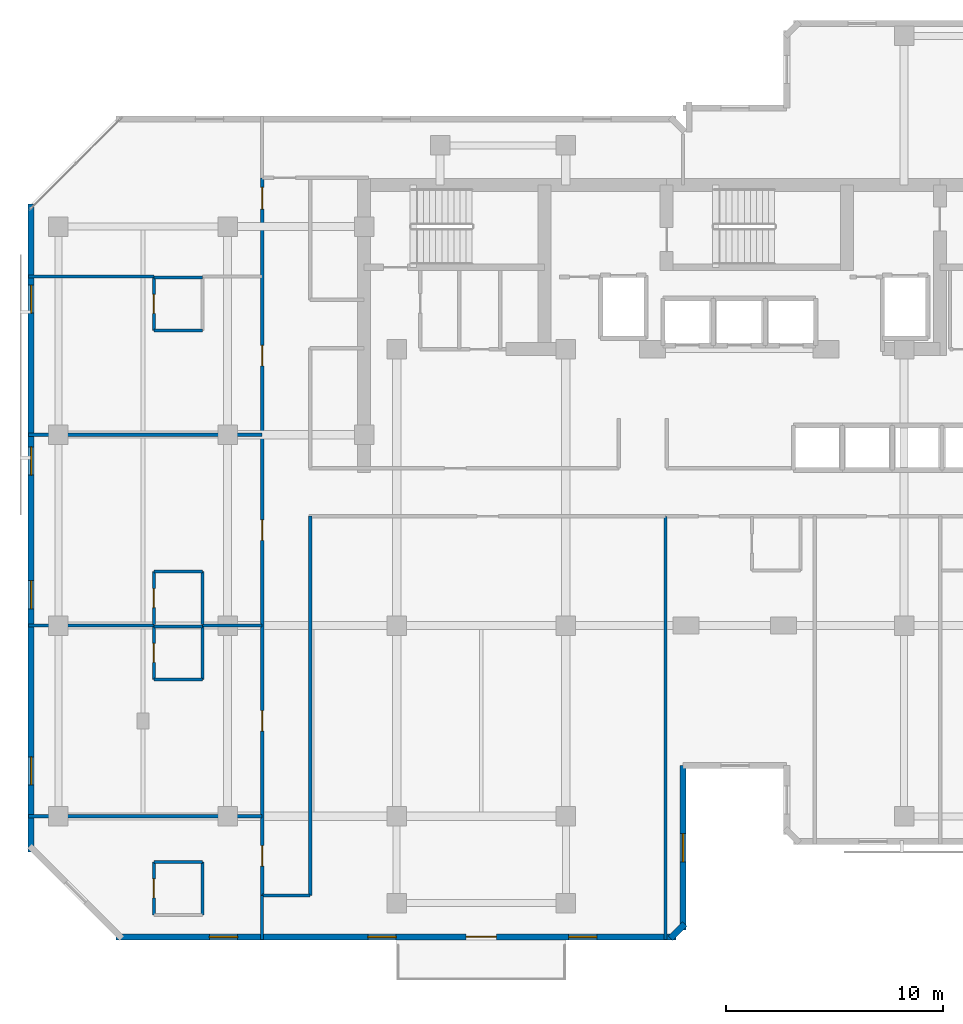
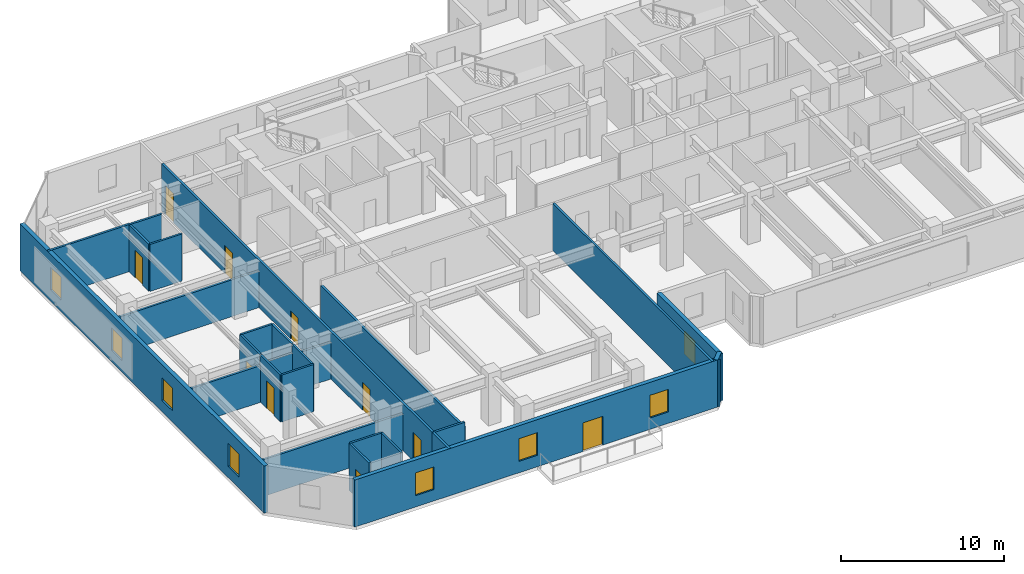
# One storey, part 4 of 10: 27 walls, 10 doors, 8 windows, 18 openings.
"""IFC4 building model written with IfcOpenShell, lengths in metres."""

from ifc_helpers import new_model, si_unit, direction, frame, frame_2d, origin, place, context, subcontext, project, spatial, rectangle, extrude, material, layer, layer_set, type_object, element, fill, save


model = new_model("IFC4")

# Units and contexts
model_context = context("Model", 3, precision=1e-05, world=origin(), true_north=direction((0.0, 1.0)))
body_context = subcontext(model_context, "Body", "Model", "MODEL_VIEW")
ifc_project = project(units=[si_unit("LENGTHUNIT", "METRE"), si_unit("AREAUNIT", "SQUARE_METRE"), si_unit("VOLUMEUNIT", "CUBIC_METRE"), si_unit("PLANEANGLEUNIT", "RADIAN"), si_unit("MASSUNIT", "GRAM", prefix="KILO")], contexts=[model_context])

# Site, building, storey
site_placement = place(None, origin())
site = spatial("IfcSite", under=ifc_project, at=site_placement, CompositionType="ELEMENT")
building_placement = place(site_placement, origin())
building = spatial("IfcBuilding", under=site, at=building_placement, Name="Kestravale Grand Hotel", CompositionType="ELEMENT")
storey_placement = place(building_placement, frame((0.0, 0.0, 236.5)))
storey = spatial("IfcBuildingStorey", under=building, at=storey_placement, Name="L59", CompositionType="ELEMENT", Elevation=236.5)

# Wall, openings, door, windows
ifc_material_1 = material(Name="Precast concrete f'c 45 MPa", Category="concrete")
ifc_layer_1 = layer(ifc_material_1, 0.280029296875)
ifc_layer_set_1 = layer_set([ifc_layer_1], Name="EW-PREC-280")
wall_type_1 = type_object("IfcWallType", Name="EW-PREC-280", PredefinedType="SOLIDWALL", material=ifc_layer_set_1)
wall_1_placement = place(storey_placement, frame((10.4599609375, 5.639892578125, 0.0), z_axis=(0.0, 0.0, 1.0), x_axis=(1.0, 0.0, 0.0)))
wall_1 = element("IfcWall", 1, at=wall_1_placement, inside=storey, type_object=wall_type_1, Name="L59 fluted precast facade wall 1", PredefinedType="SOLIDWALL", context=body_context, shape_type="SweptSolid", body=[
    extrude(rectangle(XDim=25.830078125, YDim=0.280029296875, at=frame_2d((12.9150390625, 0.0))), origin(), (0.0, 0.0, 1.0), 3.52001953125),
])
opening_1_placement = place(wall_1_placement, frame((16.139892578125, 0.0, 0.0)))
opening_1 = element("IfcOpeningElement", 2, at=opening_1_placement, cuts=wall_1, Name="Opening D-TERR-1400", PredefinedType="OPENING", context=body_context, shape_type="SweptSolid", body=[
    extrude(rectangle(XDim=1.39990234375, YDim=2.14990234375, at=frame_2d((0.699951171875, 1.074951171875))), frame((0.0, 0.14990234375, 0.0), z_axis=(0.0, -1.0, 0.0), x_axis=(1.0, 0.0, 0.0)), (0.0, 0.0, 1.0), 0.300048828125),
])
opening_2_placement = place(wall_1_placement, frame((4.304931640625, 0.0, 0.85009765625)))
opening_2 = element("IfcOpeningElement", 3, at=opening_2_placement, cuts=wall_1, Name="Opening W-GUEST-1300", PredefinedType="OPENING", context=body_context, shape_type="SweptSolid", body=[
    extrude(rectangle(XDim=1.300048828125, YDim=1.699951171875, at=frame_2d((0.64990234375, 0.85009765625))), frame((0.0, 0.14990234375, 0.0), z_axis=(0.0, -1.0, 0.0), x_axis=(1.0, 0.0, 0.0)), (0.0, 0.0, 1.0), 0.300048828125),
])
opening_3_placement = place(wall_1_placement, frame((11.614990234375, 0.0, 0.85009765625)))
opening_3 = element("IfcOpeningElement", 4, at=opening_3_placement, cuts=wall_1, Name="Opening W-GUEST-1300", PredefinedType="OPENING", context=body_context, shape_type="SweptSolid", body=[
    extrude(rectangle(XDim=1.300048828125, YDim=1.699951171875, at=frame_2d((0.64990234375, 0.85009765625))), frame((0.0, 0.14990234375, 0.0), z_axis=(0.0, -1.0, 0.0), x_axis=(1.0, 0.0, 0.0)), (0.0, 0.0, 1.0), 0.300048828125),
])
opening_4_placement = place(wall_1_placement, frame((20.875, 0.0, 0.85009765625)))
opening_4 = element("IfcOpeningElement", 5, at=opening_4_placement, cuts=wall_1, Name="Opening W-GUEST-1300", PredefinedType="OPENING", context=body_context, shape_type="SweptSolid", body=[
    extrude(rectangle(XDim=1.300048828125, YDim=1.699951171875, at=frame_2d((0.64990234375, 0.85009765625))), frame((0.0, 0.14990234375, 0.0), z_axis=(0.0, -1.0, 0.0), x_axis=(1.0, 0.0, 0.0)), (0.0, 0.0, 1.0), 0.300048828125),
])
ifc_material_2 = material(Name="Insulated glazed champagne-bronze aluminium door", Category="aluminium")
door_type_1 = type_object("IfcDoorType", Name="D-TERR-1400", OperationType="NOTDEFINED", PredefinedType="DOOR", material=ifc_material_2)
door_1_placement = place(opening_1_placement, origin())
door_1 = element("IfcDoor", 6, at=door_1_placement, inside=storey, type_object=door_type_1, Name="L59 outdoor garden terrace door", OperationType="DOUBLE_DOOR_SINGLE_SWING", OverallHeight=2.14990234375, OverallWidth=1.39990234375, PredefinedType="DOOR", context=body_context, shape_type="SweptSolid", body=[
    extrude(rectangle(XDim=1.39990234375, YDim=2.14990234375, at=frame_2d((0.699951171875, 1.074951171875))), frame((0.0, 0.02490234375, 0.0), z_axis=(0.0, -1.0, 0.0), x_axis=(1.0, 0.0, 0.0)), (0.0, 0.0, 1.0), 0.050048828125),
])
fill(opening_1, door_1)
ifc_material_3 = material(Name="Insulated low-E double glazing in aluminium frame", Category="aluminium")
window_type = type_object("IfcWindowType", Name="W-GUEST-1300", PartitioningType="SINGLE_PANEL", PredefinedType="WINDOW", material=ifc_material_3)
window_1_placement = place(opening_2_placement, origin())
window_1 = element("IfcWindow", 7, at=window_1_placement, inside=storey, type_object=window_type, Name="L59 exterior window 1.1", OverallHeight=1.699951171875, OverallWidth=1.300048828125, PartitioningType="SINGLE_PANEL", PredefinedType="WINDOW", context=body_context, shape_type="SweptSolid", body=[
    extrude(rectangle(XDim=1.300048828125, YDim=1.699951171875, at=frame_2d((0.64990234375, 0.85009765625))), frame((0.0, 0.030029296875, 0.0), z_axis=(0.0, -1.0, 0.0), x_axis=(1.0, 0.0, 0.0)), (0.0, 0.0, 1.0), 0.06005859375),
])
fill(opening_2, window_1)
window_2_placement = place(opening_3_placement, origin())
window_2 = element("IfcWindow", 8, at=window_2_placement, inside=storey, type_object=window_type, Name="L59 exterior window 1.2", OverallHeight=1.699951171875, OverallWidth=1.300048828125, PartitioningType="SINGLE_PANEL", PredefinedType="WINDOW", context=body_context, shape_type="SweptSolid", body=[
    extrude(rectangle(XDim=1.300048828125, YDim=1.699951171875, at=frame_2d((0.64990234375, 0.85009765625))), frame((0.0, 0.030029296875, 0.0), z_axis=(0.0, -1.0, 0.0), x_axis=(1.0, 0.0, 0.0)), (0.0, 0.0, 1.0), 0.06005859375),
])
fill(opening_3, window_2)
window_3_placement = place(opening_4_placement, origin())
window_3 = element("IfcWindow", 9, at=window_3_placement, inside=storey, type_object=window_type, Name="L59 exterior window 1.3", OverallHeight=1.699951171875, OverallWidth=1.300048828125, PartitioningType="SINGLE_PANEL", PredefinedType="WINDOW", context=body_context, shape_type="SweptSolid", body=[
    extrude(rectangle(XDim=1.300048828125, YDim=1.699951171875, at=frame_2d((0.64990234375, 0.85009765625))), frame((0.0, 0.030029296875, 0.0), z_axis=(0.0, -1.0, 0.0), x_axis=(1.0, 0.0, 0.0)), (0.0, 0.0, 1.0), 0.06005859375),
])
fill(opening_4, window_3)

# Wall
wall_2_placement = place(storey_placement, frame((36.022705078125, 5.57080078125, 0.0), z_axis=(0.0, 0.0, 1.0), x_axis=(0.707106781187, 0.707106781187, 0.0)))
element("IfcWall", 10, at=wall_2_placement, inside=storey, type_object=wall_type_1, Name="L59 fluted precast facade wall 2", PredefinedType="SOLIDWALL", context=body_context, shape_type="SweptSolid", body=[
    extrude(rectangle(XDim=0.928466796875, YDim=0.280029296875, at=frame_2d((0.46435546875, 0.0))), origin(), (0.0, 0.0, 1.0), 3.52001953125),
])

# Wall, opening, window
wall_3_placement = place(storey_placement, frame((36.610107421875, 5.9599609375, 0.0), z_axis=(0.0, 0.0, 1.0), x_axis=(0.0, 1.0, 0.0)))
wall_3 = element("IfcWall", 11, at=wall_3_placement, inside=storey, type_object=wall_type_1, Name="L59 fluted precast facade wall 3", PredefinedType="SOLIDWALL", context=body_context, shape_type="SweptSolid", body=[
    extrude(rectangle(XDim=7.580078125, YDim=0.280029296875, at=frame_2d((3.7900390625, 0.0))), origin(), (0.0, 0.0, 1.0), 3.52001953125),
])
opening_5_placement = place(wall_3_placement, frame((3.139892578125, 0.0, 0.85009765625)))
opening_5 = element("IfcOpeningElement", 12, at=opening_5_placement, cuts=wall_3, Name="Opening W-GUEST-1300", PredefinedType="OPENING", context=body_context, shape_type="SweptSolid", body=[
    extrude(rectangle(XDim=1.300048828125, YDim=1.699951171875, at=frame_2d((0.64990234375, 0.85009765625))), frame((0.0, 0.14990234375, 0.0), z_axis=(0.0, -1.0, 0.0), x_axis=(1.0, 0.0, 0.0)), (0.0, 0.0, 1.0), 0.300048828125),
])
window_4_placement = place(opening_5_placement, origin())
window_4 = element("IfcWindow", 13, at=window_4_placement, inside=storey, type_object=window_type, Name="L59 exterior window 3.1", OverallHeight=1.699951171875, OverallWidth=1.300048828125, PartitioningType="SINGLE_PANEL", PredefinedType="WINDOW", context=body_context, shape_type="SweptSolid", body=[
    extrude(rectangle(XDim=1.300048828125, YDim=1.699951171875, at=frame_2d((0.64990234375, 0.85009765625))), frame((0.0, 0.030029296875, 0.0), z_axis=(0.0, -1.0, 0.0), x_axis=(1.0, 0.0, 0.0)), (0.0, 0.0, 1.0), 0.06005859375),
])
fill(opening_5, window_4)

# Wall, openings, windows
wall_4_placement = place(storey_placement, frame((6.5400390625, 39.43994140625, 0.0), z_axis=(0.0, 0.0, 1.0), x_axis=(0.0, -1.0, 0.0)))
wall_4 = element("IfcWall", 14, at=wall_4_placement, inside=storey, type_object=wall_type_1, Name="L59 fluted precast facade wall 19", PredefinedType="SOLIDWALL", context=body_context, shape_type="SweptSolid", body=[
    extrude(rectangle(XDim=29.8798828125, YDim=0.280029296875, at=frame_2d((14.93994140625, 0.0))), origin(), (0.0, 0.0, 1.0), 3.52001953125),
])
opening_6_placement = place(wall_4_placement, frame((3.735107421875, 0.0, 0.85009765625)))
opening_6 = element("IfcOpeningElement", 15, at=opening_6_placement, cuts=wall_4, Name="Opening W-GUEST-1300", PredefinedType="OPENING", context=body_context, shape_type="SweptSolid", body=[
    extrude(rectangle(XDim=1.300048828125, YDim=1.699951171875, at=frame_2d((0.64990234375, 0.85009765625))), frame((0.0, 0.14990234375, 0.0), z_axis=(0.0, -1.0, 0.0), x_axis=(1.0, 0.0, 0.0)), (0.0, 0.0, 1.0), 0.300048828125),
])
opening_7_placement = place(wall_4_placement, frame((11.205078125, 0.0, 0.85009765625)))
opening_7 = element("IfcOpeningElement", 16, at=opening_7_placement, cuts=wall_4, Name="Opening W-GUEST-1300", PredefinedType="OPENING", context=body_context, shape_type="SweptSolid", body=[
    extrude(rectangle(XDim=1.300048828125, YDim=1.699951171875, at=frame_2d((0.64990234375, 0.85009765625))), frame((0.0, 0.14990234375, 0.0), z_axis=(0.0, -1.0, 0.0), x_axis=(1.0, 0.0, 0.0)), (0.0, 0.0, 1.0), 0.300048828125),
])
opening_8_placement = place(wall_4_placement, frame((17.375, 0.0, 0.85009765625)))
opening_8 = element("IfcOpeningElement", 17, at=opening_8_placement, cuts=wall_4, Name="Opening W-GUEST-1300", PredefinedType="OPENING", context=body_context, shape_type="SweptSolid", body=[
    extrude(rectangle(XDim=1.300048828125, YDim=1.699951171875, at=frame_2d((0.64990234375, 0.85009765625))), frame((0.0, 0.14990234375, 0.0), z_axis=(0.0, -1.0, 0.0), x_axis=(1.0, 0.0, 0.0)), (0.0, 0.0, 1.0), 0.300048828125),
])
opening_9_placement = place(wall_4_placement, frame((25.4951171875, 0.0, 0.85009765625)))
opening_9 = element("IfcOpeningElement", 18, at=opening_9_placement, cuts=wall_4, Name="Opening W-GUEST-1300", PredefinedType="OPENING", context=body_context, shape_type="SweptSolid", body=[
    extrude(rectangle(XDim=1.300048828125, YDim=1.699951171875, at=frame_2d((0.64990234375, 0.85009765625))), frame((0.0, 0.14990234375, 0.0), z_axis=(0.0, -1.0, 0.0), x_axis=(1.0, 0.0, 0.0)), (0.0, 0.0, 1.0), 0.300048828125),
])
window_5_placement = place(opening_6_placement, origin())
window_5 = element("IfcWindow", 19, at=window_5_placement, inside=storey, type_object=window_type, Name="L59 exterior window 19.1", OverallHeight=1.699951171875, OverallWidth=1.300048828125, PartitioningType="SINGLE_PANEL", PredefinedType="WINDOW", context=body_context, shape_type="SweptSolid", body=[
    extrude(rectangle(XDim=1.300048828125, YDim=1.699951171875, at=frame_2d((0.64990234375, 0.85009765625))), frame((0.0, 0.030029296875, 0.0), z_axis=(0.0, -1.0, 0.0), x_axis=(1.0, 0.0, 0.0)), (0.0, 0.0, 1.0), 0.06005859375),
])
fill(opening_6, window_5)
window_6_placement = place(opening_7_placement, origin())
window_6 = element("IfcWindow", 20, at=window_6_placement, inside=storey, type_object=window_type, Name="L59 exterior window 19.2", OverallHeight=1.699951171875, OverallWidth=1.300048828125, PartitioningType="SINGLE_PANEL", PredefinedType="WINDOW", context=body_context, shape_type="SweptSolid", body=[
    extrude(rectangle(XDim=1.300048828125, YDim=1.699951171875, at=frame_2d((0.64990234375, 0.85009765625))), frame((0.0, 0.030029296875, 0.0), z_axis=(0.0, -1.0, 0.0), x_axis=(1.0, 0.0, 0.0)), (0.0, 0.0, 1.0), 0.06005859375),
])
fill(opening_7, window_6)
window_7_placement = place(opening_8_placement, origin())
window_7 = element("IfcWindow", 21, at=window_7_placement, inside=storey, type_object=window_type, Name="L59 exterior window 19.3", OverallHeight=1.699951171875, OverallWidth=1.300048828125, PartitioningType="SINGLE_PANEL", PredefinedType="WINDOW", context=body_context, shape_type="SweptSolid", body=[
    extrude(rectangle(XDim=1.300048828125, YDim=1.699951171875, at=frame_2d((0.64990234375, 0.85009765625))), frame((0.0, 0.030029296875, 0.0), z_axis=(0.0, -1.0, 0.0), x_axis=(1.0, 0.0, 0.0)), (0.0, 0.0, 1.0), 0.06005859375),
])
fill(opening_8, window_7)
window_8_placement = place(opening_9_placement, origin())
window_8 = element("IfcWindow", 22, at=window_8_placement, inside=storey, type_object=window_type, Name="L59 exterior window 19.4", OverallHeight=1.699951171875, OverallWidth=1.300048828125, PartitioningType="SINGLE_PANEL", PredefinedType="WINDOW", context=body_context, shape_type="SweptSolid", body=[
    extrude(rectangle(XDim=1.300048828125, YDim=1.699951171875, at=frame_2d((0.64990234375, 0.85009765625))), frame((0.0, 0.030029296875, 0.0), z_axis=(0.0, -1.0, 0.0), x_axis=(1.0, 0.0, 0.0)), (0.0, 0.0, 1.0), 0.06005859375),
])
fill(opening_9, window_8)

# Wall, openings, doors
ifc_material_4 = material(Name="Acoustic fire-rated gypsum board partition", Category="other")
ifc_layer_2 = layer(ifc_material_4, 0.159912109375)
ifc_layer_set_2 = layer_set([ifc_layer_2], Name="IW-CORR-160")
wall_type_2 = type_object("IfcWallType", Name="IW-CORR-160", PredefinedType="PARTITIONING", material=ifc_layer_set_2)
wall_5_placement = place(storey_placement, frame((17.18994140625, 7.550048828125, 0.0), z_axis=(0.0, 0.0, 1.0), x_axis=(0.0, 1.0, 0.0)))
wall_5 = element("IfcWall", 23, at=wall_5_placement, inside=storey, type_object=wall_type_2, Name="W-L59-SW-W", PredefinedType="PARTITIONING", context=body_context, shape_type="SweptSolid", body=[
    extrude(rectangle(XDim=33.099853515625, YDim=0.159912109375, at=frame_2d((16.5498046875, 0.0))), origin(), (0.0, 0.0, 1.0), 3.52001953125),
])
opening_10_placement = place(wall_5_placement, frame((1.35009765625, 0.0, 0.0)))
opening_10 = element("IfcOpeningElement", 24, at=opening_10_placement, cuts=wall_5, Name="Opening D-GUEST-950", PredefinedType="OPENING", context=body_context, shape_type="SweptSolid", body=[
    extrude(rectangle(XDim=0.949951171875, YDim=2.10009765625, at=frame_2d((0.47509765625, 1.050048828125))), frame((0.0, 0.08984375, 0.0), z_axis=(0.0, -1.0, 0.0), x_axis=(1.0, 0.0, 0.0)), (0.0, 0.0, 1.0), 0.179931640625),
])
opening_11_placement = place(wall_5_placement, frame((7.574951171875, 0.0, 0.0)))
opening_11 = element("IfcOpeningElement", 25, at=opening_11_placement, cuts=wall_5, Name="Opening D-GUEST-950", PredefinedType="OPENING", context=body_context, shape_type="SweptSolid", body=[
    extrude(rectangle(XDim=0.949951171875, YDim=2.10009765625, at=frame_2d((0.47509765625, 1.050048828125))), frame((0.0, 0.08984375, 0.0), z_axis=(0.0, -1.0, 0.0), x_axis=(1.0, 0.0, 0.0)), (0.0, 0.0, 1.0), 0.179931640625),
])
opening_12_placement = place(wall_5_placement, frame((16.375, 0.0, 0.0)))
opening_12 = element("IfcOpeningElement", 26, at=opening_12_placement, cuts=wall_5, Name="Opening D-GUEST-950", PredefinedType="OPENING", context=body_context, shape_type="SweptSolid", body=[
    extrude(rectangle(XDim=0.949951171875, YDim=2.10009765625, at=frame_2d((0.47509765625, 1.050048828125))), frame((0.0, 0.08984375, 0.0), z_axis=(0.0, -1.0, 0.0), x_axis=(1.0, 0.0, 0.0)), (0.0, 0.0, 1.0), 0.179931640625),
])
opening_13_placement = place(wall_5_placement, frame((24.425048828125, 0.0, 0.0)))
opening_13 = element("IfcOpeningElement", 27, at=opening_13_placement, cuts=wall_5, Name="Opening D-GUEST-950", PredefinedType="OPENING", context=body_context, shape_type="SweptSolid", body=[
    extrude(rectangle(XDim=0.949951171875, YDim=2.10009765625, at=frame_2d((0.47509765625, 1.050048828125))), frame((0.0, 0.08984375, 0.0), z_axis=(0.0, -1.0, 0.0), x_axis=(1.0, 0.0, 0.0)), (0.0, 0.0, 1.0), 0.179931640625),
])
opening_14_placement = place(wall_5_placement, frame((31.659912109375, 0.0, 0.0)))
opening_14 = element("IfcOpeningElement", 28, at=opening_14_placement, cuts=wall_5, Name="Opening D-GUEST-1000", PredefinedType="OPENING", context=body_context, shape_type="SweptSolid", body=[
    extrude(rectangle(XDim=1.0, YDim=2.14990234375, at=frame_2d((0.5, 1.074951171875))), frame((0.0, 0.08984375, 0.0), z_axis=(0.0, -1.0, 0.0), x_axis=(1.0, 0.0, 0.0)), (0.0, 0.0, 1.0), 0.179931640625),
])
ifc_material_5 = material(Name="Accessible walnut veneer hotel entrance fire door", Category="wood")
door_type_2 = type_object("IfcDoorType", Name="D-GUEST-1000", OperationType="NOTDEFINED", PredefinedType="DOOR", material=ifc_material_5)
door_2_placement = place(opening_14_placement, origin())
door_2 = element("IfcDoor", 29, at=door_2_placement, inside=storey, type_object=door_type_2, Name="D-L59-AMWW", OperationType="SINGLE_SWING_RIGHT", OverallHeight=2.14990234375, OverallWidth=1.0, PredefinedType="DOOR", context=body_context, shape_type="SweptSolid", body=[
    extrude(rectangle(XDim=1.0, YDim=2.14990234375, at=frame_2d((0.5, 1.074951171875))), frame((0.0, 0.02490234375, 0.0), z_axis=(0.0, -1.0, 0.0), x_axis=(1.0, 0.0, 0.0)), (0.0, 0.0, 1.0), 0.050048828125),
])
fill(opening_14, door_2)
ifc_material_6 = material(Name="Walnut veneer hotel guestroom entrance fire door", Category="wood")
door_type_3 = type_object("IfcDoorType", Name="D-GUEST-950", OperationType="NOTDEFINED", PredefinedType="DOOR", material=ifc_material_6)
door_3_placement = place(opening_10_placement, origin())
door_3 = element("IfcDoor", 30, at=door_3_placement, inside=storey, type_object=door_type_3, Name="D-L59-U04-ENT", OperationType="SINGLE_SWING_LEFT", OverallHeight=2.10009765625, OverallWidth=0.949951171875, PredefinedType="DOOR", context=body_context, shape_type="SweptSolid", body=[
    extrude(rectangle(XDim=0.949951171875, YDim=2.10009765625, at=frame_2d((0.47509765625, 1.050048828125))), frame((0.0, 0.02490234375, 0.0), z_axis=(0.0, -1.0, 0.0), x_axis=(1.0, 0.0, 0.0)), (0.0, 0.0, 1.0), 0.050048828125),
])
fill(opening_10, door_3)
door_4_placement = place(opening_11_placement, origin())
door_4 = element("IfcDoor", 31, at=door_4_placement, inside=storey, type_object=door_type_3, Name="D-L59-U05-ENT", OperationType="SINGLE_SWING_LEFT", OverallHeight=2.10009765625, OverallWidth=0.949951171875, PredefinedType="DOOR", context=body_context, shape_type="SweptSolid", body=[
    extrude(rectangle(XDim=0.949951171875, YDim=2.10009765625, at=frame_2d((0.47509765625, 1.050048828125))), frame((0.0, 0.02490234375, 0.0), z_axis=(0.0, -1.0, 0.0), x_axis=(1.0, 0.0, 0.0)), (0.0, 0.0, 1.0), 0.050048828125),
])
fill(opening_11, door_4)
door_5_placement = place(opening_12_placement, origin())
door_5 = element("IfcDoor", 32, at=door_5_placement, inside=storey, type_object=door_type_3, Name="D-L59-U06-ENT", OperationType="SINGLE_SWING_LEFT", OverallHeight=2.10009765625, OverallWidth=0.949951171875, PredefinedType="DOOR", context=body_context, shape_type="SweptSolid", body=[
    extrude(rectangle(XDim=0.949951171875, YDim=2.10009765625, at=frame_2d((0.47509765625, 1.050048828125))), frame((0.0, 0.02490234375, 0.0), z_axis=(0.0, -1.0, 0.0), x_axis=(1.0, 0.0, 0.0)), (0.0, 0.0, 1.0), 0.050048828125),
])
fill(opening_12, door_5)
door_6_placement = place(opening_13_placement, origin())
door_6 = element("IfcDoor", 33, at=door_6_placement, inside=storey, type_object=door_type_3, Name="D-L59-U07-ENT", OperationType="SINGLE_SWING_LEFT", OverallHeight=2.10009765625, OverallWidth=0.949951171875, PredefinedType="DOOR", context=body_context, shape_type="SweptSolid", body=[
    extrude(rectangle(XDim=0.949951171875, YDim=2.10009765625, at=frame_2d((0.47509765625, 1.050048828125))), frame((0.0, 0.02490234375, 0.0), z_axis=(0.0, -1.0, 0.0), x_axis=(1.0, 0.0, 0.0)), (0.0, 0.0, 1.0), 0.050048828125),
])
fill(opening_13, door_6)

# Wall
wall_6_placement = place(storey_placement, frame((19.409912109375, 7.550048828125, 0.0), z_axis=(0.0, 0.0, 1.0), x_axis=(0.0, 1.0, 0.0)))
element("IfcWall", 34, at=wall_6_placement, inside=storey, type_object=wall_type_2, Name="W-L59-SW-E", PredefinedType="PARTITIONING", context=body_context, shape_type="SweptSolid", body=[
    extrude(rectangle(XDim=17.489990234375, YDim=0.159912109375, at=frame_2d((8.7451171875, 0.0))), origin(), (0.0, 0.0, 1.0), 3.115966796875),
])

# Wall, opening, door
ifc_material_7 = material(Name="Moisture-resistant tile-backer plumbing chase wall", Category="other")
ifc_layer_3 = layer(ifc_material_7, 0.139892578125)
ifc_layer_set_3 = layer_set([ifc_layer_3], Name="IW-PLB-140")
wall_type_3 = type_object("IfcWallType", Name="IW-PLB-140", PredefinedType="PLUMBINGWALL", material=ifc_layer_set_3)
wall_7_placement = place(storey_placement, frame((12.199951171875, 6.64990234375, 0.0), z_axis=(0.0, 0.0, 1.0), x_axis=(0.0, 1.0, 0.0)))
wall_7 = element("IfcWall", 35, at=wall_7_placement, inside=storey, type_object=wall_type_3, Name="W-L59-U04-BW", PredefinedType="PLUMBINGWALL", context=body_context, shape_type="SweptSolid", body=[
    extrude(rectangle(XDim=2.4501953125, YDim=0.139892578125, at=frame_2d((1.22509765625, 0.0))), origin(), (0.0, 0.0, 1.0), 3.52001953125),
])
opening_15_placement = place(wall_7_placement, frame((0.784912109375, 0.0, 0.0)))
opening_15 = element("IfcOpeningElement", 36, at=opening_15_placement, cuts=wall_7, Name="Opening D-BATH-880", PredefinedType="OPENING", context=body_context, shape_type="SweptSolid", body=[
    extrude(rectangle(XDim=0.8798828125, YDim=2.050048828125, at=frame_2d((0.43994140625, 1.02490234375))), frame((0.0, 0.079833984375, 0.0), z_axis=(0.0, -1.0, 0.0), x_axis=(1.0, 0.0, 0.0)), (0.0, 0.0, 1.0), 0.159912109375),
])
ifc_material_8 = material(Name="Moisture-sealed walnut en-suite bathroom door", Category="wood")
door_type_4 = type_object("IfcDoorType", Name="D-BATH-880", OperationType="NOTDEFINED", PredefinedType="DOOR", material=ifc_material_8)
door_7_placement = place(opening_15_placement, origin())
door_7 = element("IfcDoor", 37, at=door_7_placement, inside=storey, type_object=door_type_4, Name="D-L59-U04-BATH", OperationType="SINGLE_SWING_RIGHT", OverallHeight=2.050048828125, OverallWidth=0.8798828125, PredefinedType="DOOR", context=body_context, shape_type="SweptSolid", body=[
    extrude(rectangle(XDim=0.8798828125, YDim=2.050048828125, at=frame_2d((0.43994140625, 1.02490234375))), frame((0.0, 0.02490234375, 0.0), z_axis=(0.0, -1.0, 0.0), x_axis=(1.0, 0.0, 0.0)), (0.0, 0.0, 1.0), 0.050048828125),
])
fill(opening_15, door_7)

# Walls
wall_8_placement = place(storey_placement, frame((14.449951171875, 6.64990234375, 0.0), z_axis=(0.0, 0.0, 1.0), x_axis=(0.0, 1.0, 0.0)))
element("IfcWall", 38, at=wall_8_placement, inside=storey, type_object=wall_type_3, Name="W-L59-U04-BE", PredefinedType="PLUMBINGWALL", context=body_context, shape_type="SweptSolid", body=[
    extrude(rectangle(XDim=2.4501953125, YDim=0.139892578125, at=frame_2d((1.22509765625, 0.0))), origin(), (0.0, 0.0, 1.0), 3.52001953125),
])
wall_9_placement = place(storey_placement, frame((12.199951171875, 9.10009765625, 0.0), z_axis=(0.0, 0.0, 1.0), x_axis=(1.0, 0.0, 0.0)))
element("IfcWall", 39, at=wall_9_placement, inside=storey, type_object=wall_type_3, Name="W-L59-U04-BN", PredefinedType="PLUMBINGWALL", context=body_context, shape_type="SweptSolid", body=[
    extrude(rectangle(XDim=2.25, YDim=0.139892578125, at=frame_2d((1.125, 0.0))), origin(), (0.0, 0.0, 1.0), 3.52001953125),
])

# Wall, opening, door
wall_10_placement = place(storey_placement, frame((12.199951171875, 17.510009765625, 0.0), z_axis=(0.0, 0.0, 1.0), x_axis=(0.0, 1.0, 0.0)))
wall_10 = element("IfcWall", 40, at=wall_10_placement, inside=storey, type_object=wall_type_3, Name="W-L59-U05-BW", PredefinedType="PLUMBINGWALL", context=body_context, shape_type="SweptSolid", body=[
    extrude(rectangle(XDim=2.449951171875, YDim=0.139892578125, at=frame_2d((1.22509765625, 0.0))), origin(), (0.0, 0.0, 1.0), 3.52001953125),
])
opening_16_placement = place(wall_10_placement, frame((0.784912109375, 0.0, 0.0)))
opening_16 = element("IfcOpeningElement", 41, at=opening_16_placement, cuts=wall_10, Name="Opening D-BATH-880", PredefinedType="OPENING", context=body_context, shape_type="SweptSolid", body=[
    extrude(rectangle(XDim=0.8798828125, YDim=2.050048828125, at=frame_2d((0.43994140625, 1.02490234375))), frame((0.0, 0.079833984375, 0.0), z_axis=(0.0, -1.0, 0.0), x_axis=(1.0, 0.0, 0.0)), (0.0, 0.0, 1.0), 0.159912109375),
])
door_8_placement = place(opening_16_placement, origin())
door_8 = element("IfcDoor", 42, at=door_8_placement, inside=storey, type_object=door_type_4, Name="D-L59-U05-BATH", OperationType="SINGLE_SWING_RIGHT", OverallHeight=2.050048828125, OverallWidth=0.8798828125, PredefinedType="DOOR", context=body_context, shape_type="SweptSolid", body=[
    extrude(rectangle(XDim=0.8798828125, YDim=2.050048828125, at=frame_2d((0.43994140625, 1.02490234375))), frame((0.0, 0.02490234375, 0.0), z_axis=(0.0, -1.0, 0.0), x_axis=(1.0, 0.0, 0.0)), (0.0, 0.0, 1.0), 0.050048828125),
])
fill(opening_16, door_8)

# Walls
wall_11_placement = place(storey_placement, frame((14.449951171875, 17.510009765625, 0.0), z_axis=(0.0, 0.0, 1.0), x_axis=(0.0, 1.0, 0.0)))
element("IfcWall", 43, at=wall_11_placement, inside=storey, type_object=wall_type_3, Name="W-L59-U05-BE", PredefinedType="PLUMBINGWALL", context=body_context, shape_type="SweptSolid", body=[
    extrude(rectangle(XDim=2.449951171875, YDim=0.139892578125, at=frame_2d((1.22509765625, 0.0))), origin(), (0.0, 0.0, 1.0), 3.52001953125),
])
wall_12_placement = place(storey_placement, frame((12.199951171875, 17.510009765625, 0.0), z_axis=(0.0, 0.0, 1.0), x_axis=(1.0, 0.0, 0.0)))
element("IfcWall", 44, at=wall_12_placement, inside=storey, type_object=wall_type_3, Name="W-L59-U05-BS", PredefinedType="PLUMBINGWALL", context=body_context, shape_type="SweptSolid", body=[
    extrude(rectangle(XDim=2.25, YDim=0.139892578125, at=frame_2d((1.125, 0.0))), origin(), (0.0, 0.0, 1.0), 3.52001953125),
])
wall_13_placement = place(storey_placement, frame((12.199951171875, 19.9599609375, 0.0), z_axis=(0.0, 0.0, 1.0), x_axis=(1.0, 0.0, 0.0)))
element("IfcWall", 45, at=wall_13_placement, inside=storey, type_object=wall_type_3, Name="W-L59-U05-BN", PredefinedType="PLUMBINGWALL", context=body_context, shape_type="SweptSolid", body=[
    extrude(rectangle(XDim=2.25, YDim=0.139892578125, at=frame_2d((1.125, 0.0))), origin(), (0.0, 0.0, 1.0), 2.907958984375),
])

# Wall, opening, door
wall_14_placement = place(storey_placement, frame((12.199951171875, 20.0400390625, 0.0), z_axis=(0.0, 0.0, 1.0), x_axis=(0.0, 1.0, 0.0)))
wall_14 = element("IfcWall", 46, at=wall_14_placement, inside=storey, type_object=wall_type_3, Name="W-L59-U06-BW", PredefinedType="PLUMBINGWALL", context=body_context, shape_type="SweptSolid", body=[
    extrude(rectangle(XDim=2.449951171875, YDim=0.139892578125, at=frame_2d((1.22509765625, 0.0))), origin(), (0.0, 0.0, 1.0), 3.52001953125),
])
opening_17_placement = place(wall_14_placement, frame((0.784912109375, 0.0, 0.0)))
opening_17 = element("IfcOpeningElement", 47, at=opening_17_placement, cuts=wall_14, Name="Opening D-BATH-880", PredefinedType="OPENING", context=body_context, shape_type="SweptSolid", body=[
    extrude(rectangle(XDim=0.8798828125, YDim=2.050048828125, at=frame_2d((0.43994140625, 1.02490234375))), frame((0.0, 0.079833984375, 0.0), z_axis=(0.0, -1.0, 0.0), x_axis=(1.0, 0.0, 0.0)), (0.0, 0.0, 1.0), 0.159912109375),
])
door_9_placement = place(opening_17_placement, origin())
door_9 = element("IfcDoor", 48, at=door_9_placement, inside=storey, type_object=door_type_4, Name="D-L59-U06-BATH", OperationType="SINGLE_SWING_RIGHT", OverallHeight=2.050048828125, OverallWidth=0.8798828125, PredefinedType="DOOR", context=body_context, shape_type="SweptSolid", body=[
    extrude(rectangle(XDim=0.8798828125, YDim=2.050048828125, at=frame_2d((0.43994140625, 1.02490234375))), frame((0.0, 0.02490234375, 0.0), z_axis=(0.0, -1.0, 0.0), x_axis=(1.0, 0.0, 0.0)), (0.0, 0.0, 1.0), 0.050048828125),
])
fill(opening_17, door_9)

# Walls
wall_15_placement = place(storey_placement, frame((14.449951171875, 20.0400390625, 0.0), z_axis=(0.0, 0.0, 1.0), x_axis=(0.0, 1.0, 0.0)))
element("IfcWall", 49, at=wall_15_placement, inside=storey, type_object=wall_type_3, Name="W-L59-U06-BE", PredefinedType="PLUMBINGWALL", context=body_context, shape_type="SweptSolid", body=[
    extrude(rectangle(XDim=2.449951171875, YDim=0.139892578125, at=frame_2d((1.22509765625, 0.0))), origin(), (0.0, 0.0, 1.0), 3.52001953125),
])
wall_16_placement = place(storey_placement, frame((12.199951171875, 22.489990234375, 0.0), z_axis=(0.0, 0.0, 1.0), x_axis=(1.0, 0.0, 0.0)))
element("IfcWall", 50, at=wall_16_placement, inside=storey, type_object=wall_type_3, Name="W-L59-U06-BN", PredefinedType="PLUMBINGWALL", context=body_context, shape_type="SweptSolid", body=[
    extrude(rectangle(XDim=2.25, YDim=0.139892578125, at=frame_2d((1.125, 0.0))), origin(), (0.0, 0.0, 1.0), 3.52001953125),
])

# Wall, opening, door
wall_17_placement = place(storey_placement, frame((12.199951171875, 33.610107421875, 0.0), z_axis=(0.0, 0.0, 1.0), x_axis=(0.0, 1.0, 0.0)))
wall_17 = element("IfcWall", 51, at=wall_17_placement, inside=storey, type_object=wall_type_3, Name="W-L59-U07-BW", PredefinedType="PLUMBINGWALL", context=body_context, shape_type="SweptSolid", body=[
    extrude(rectangle(XDim=2.449951171875, YDim=0.139892578125, at=frame_2d((1.22509765625, 0.0))), origin(), (0.0, 0.0, 1.0), 3.52001953125),
])
opening_18_placement = place(wall_17_placement, frame((0.784912109375, 0.0, 0.0)))
opening_18 = element("IfcOpeningElement", 52, at=opening_18_placement, cuts=wall_17, Name="Opening D-BATH-880", PredefinedType="OPENING", context=body_context, shape_type="SweptSolid", body=[
    extrude(rectangle(XDim=0.8798828125, YDim=2.050048828125, at=frame_2d((0.43994140625, 1.02490234375))), frame((0.0, 0.079833984375, 0.0), z_axis=(0.0, -1.0, 0.0), x_axis=(1.0, 0.0, 0.0)), (0.0, 0.0, 1.0), 0.159912109375),
])
door_10_placement = place(opening_18_placement, origin())
door_10 = element("IfcDoor", 53, at=door_10_placement, inside=storey, type_object=door_type_4, Name="D-L59-U07-BATH", OperationType="SINGLE_SWING_RIGHT", OverallHeight=2.050048828125, OverallWidth=0.8798828125, PredefinedType="DOOR", context=body_context, shape_type="SweptSolid", body=[
    extrude(rectangle(XDim=0.8798828125, YDim=2.050048828125, at=frame_2d((0.43994140625, 1.02490234375))), frame((0.0, 0.02490234375, 0.0), z_axis=(0.0, -1.0, 0.0), x_axis=(1.0, 0.0, 0.0)), (0.0, 0.0, 1.0), 0.050048828125),
])
fill(opening_18, door_10)

# Walls
for number, where, z_axis, x_axis, name in (
    (54, (12.199951171875, 33.610107421875, 0.0), (0.0, 0.0, 1.0), (1.0, 0.0, 0.0), "W-L59-U07-BS"),
    (55, (12.199951171875, 36.06005859375, 0.0), (0.0, 0.0, 1.0), (1.0, 0.0, 0.0), "W-L59-U07-BN"),
):
    element("IfcWall", number, at=place(storey_placement, frame(where, z_axis=z_axis, x_axis=x_axis)), inside=storey, type_object=wall_type_3, Name=name, PredefinedType="PLUMBINGWALL", context=body_context, shape_type="SweptSolid", body=[
        extrude(rectangle(XDim=2.25, YDim=0.139892578125, at=frame_2d((1.125, 0.0))), origin(), (0.0, 0.0, 1.0), 3.52001953125),
    ])
ifc_material_9 = material(Name="Double-stud STC 52 acoustic demising partition", Category="other")
ifc_layer_4 = layer(ifc_material_9, 0.14990234375)
ifc_layer_set_4 = layer_set([ifc_layer_4], Name="IW-UNIT-150")
wall_type_4 = type_object("IfcWallType", Name="IW-UNIT-150", PredefinedType="PARTITIONING", material=ifc_layer_set_4)
wall_18_placement = place(storey_placement, frame((17.18994140625, 7.550048828125, 0.0), z_axis=(0.0, 0.0, 1.0), x_axis=(1.0, 0.0, 0.0)))
element("IfcWall", 56, at=wall_18_placement, inside=storey, type_object=wall_type_4, Name="W-L59-SW-S", PredefinedType="PARTITIONING", context=body_context, shape_type="SweptSolid", body=[
    extrude(rectangle(XDim=2.219970703125, YDim=0.14990234375, at=frame_2d((1.10986328125, 0.0))), origin(), (0.0, 0.0, 1.0), 3.52001953125),
])
wall_19_placement = place(storey_placement, frame((35.800048828125, 5.52001953125, 0.0), z_axis=(0.0, 0.0, 1.0), x_axis=(0.0, 1.0, 0.0)))
element("IfcWall", 57, at=wall_19_placement, inside=storey, type_object=wall_type_4, Name="W-L59-MID-S", PredefinedType="PARTITIONING", context=body_context, shape_type="SweptSolid", body=[
    extrude(rectangle(XDim=19.5, YDim=0.14990234375, at=frame_2d((9.75, 0.0))), origin(), (0.0, 0.0, 1.0), 3.52001953125),
])
wall_20_placement = place(storey_placement, frame((17.18994140625, 5.52001953125, 0.0), z_axis=(0.0, 0.0, 1.0), x_axis=(0.0, 1.0, 0.0)))
element("IfcWall", 58, at=wall_20_placement, inside=storey, type_object=wall_type_4, Name="W-L59-SW-EXT", PredefinedType="PARTITIONING", context=body_context, shape_type="SweptSolid", body=[
    extrude(rectangle(XDim=2.030029296875, YDim=0.14990234375, at=frame_2d((1.01513671875, 0.0))), origin(), (0.0, 0.0, 1.0), 3.52001953125),
])
wall_21_placement = place(storey_placement, frame((6.419921875, 11.199951171875, 0.0), z_axis=(0.0, 0.0, 1.0), x_axis=(1.0, 0.0, 0.0)))
element("IfcWall", 59, at=wall_21_placement, inside=storey, type_object=wall_type_4, Name="W-L59-WW-1", PredefinedType="PARTITIONING", context=body_context, shape_type="SweptSolid", body=[
    extrude(rectangle(XDim=10.77001953125, YDim=0.14990234375, at=frame_2d((5.385009765625, 0.0))), origin(), (0.0, 0.0, 1.0), 2.748046875),
])
wall_22_placement = place(storey_placement, frame((6.419921875, 20.0, 0.0), z_axis=(0.0, 0.0, 1.0), x_axis=(1.0, 0.0, 0.0)))
element("IfcWall", 60, at=wall_22_placement, inside=storey, type_object=wall_type_4, Name="W-L59-WW-2", PredefinedType="PARTITIONING", context=body_context, shape_type="SweptSolid", body=[
    extrude(rectangle(XDim=5.780029296875, YDim=0.14990234375, at=frame_2d((2.89013671875, 0.0))), origin(), (0.0, 0.0, 1.0), 2.748046875),
])
wall_23_placement = place(storey_placement, frame((14.449951171875, 20.0, 0.0), z_axis=(0.0, 0.0, 1.0), x_axis=(1.0, 0.0, 0.0)))
element("IfcWall", 61, at=wall_23_placement, inside=storey, type_object=wall_type_4, Name="W-L59-WW-2", PredefinedType="PARTITIONING", context=body_context, shape_type="SweptSolid", body=[
    extrude(rectangle(XDim=2.739990234375, YDim=0.14990234375, at=frame_2d((1.3701171875, 0.0))), origin(), (0.0, 0.0, 1.0), 2.748046875),
])
wall_24_placement = place(storey_placement, frame((6.419921875, 28.800048828125, 0.0), z_axis=(0.0, 0.0, 1.0), x_axis=(1.0, 0.0, 0.0)))
element("IfcWall", 62, at=wall_24_placement, inside=storey, type_object=wall_type_4, Name="W-L59-WW-3", PredefinedType="PARTITIONING", context=body_context, shape_type="SweptSolid", body=[
    extrude(rectangle(XDim=10.77001953125, YDim=0.14990234375, at=frame_2d((5.385009765625, 0.0))), origin(), (0.0, 0.0, 1.0), 2.748046875),
])
wall_25_placement = place(storey_placement, frame((6.419921875, 36.10009765625, 0.0), z_axis=(0.0, 0.0, 1.0), x_axis=(1.0, 0.0, 0.0)))
element("IfcWall", 63, at=wall_25_placement, inside=storey, type_object=wall_type_4, Name="W-L59-WW-4", PredefinedType="PARTITIONING", context=body_context, shape_type="SweptSolid", body=[
    extrude(rectangle(XDim=5.780029296875, YDim=0.14990234375, at=frame_2d((2.89013671875, 0.0))), origin(), (0.0, 0.0, 1.0), 3.52001953125),
])

save(model, "model.ifc")
